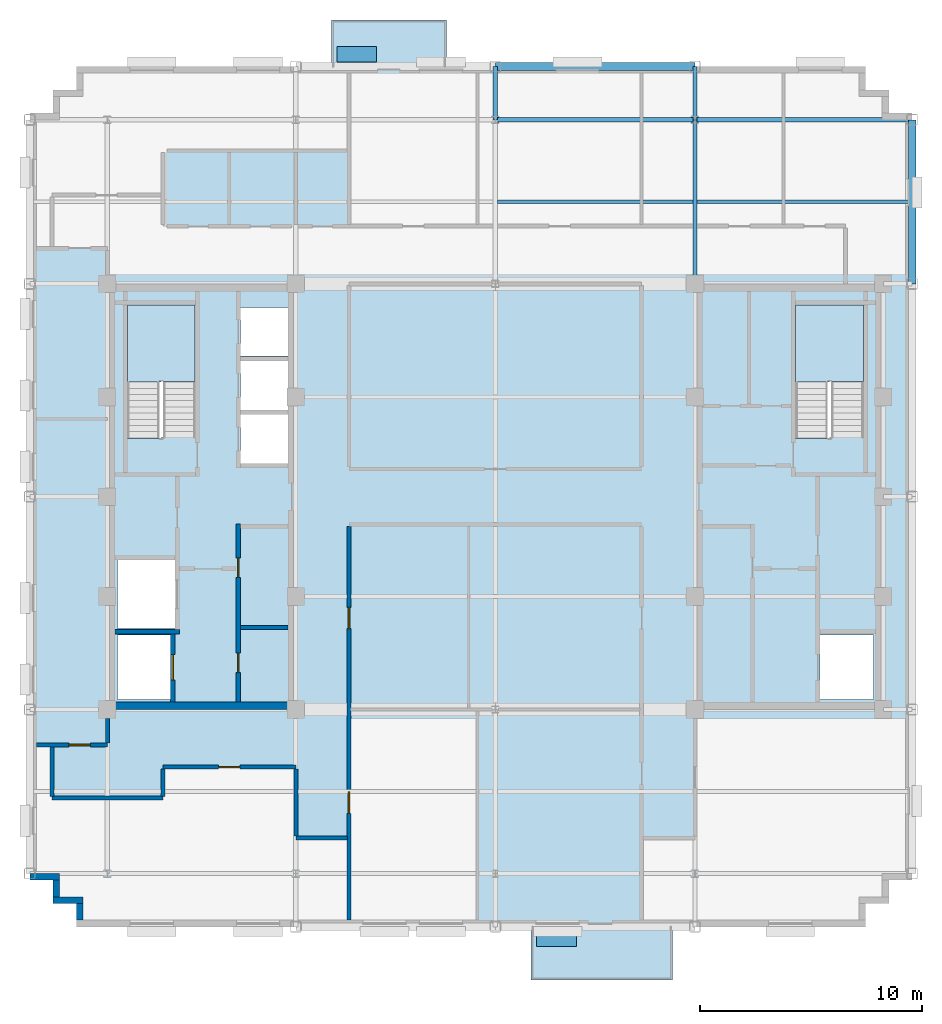
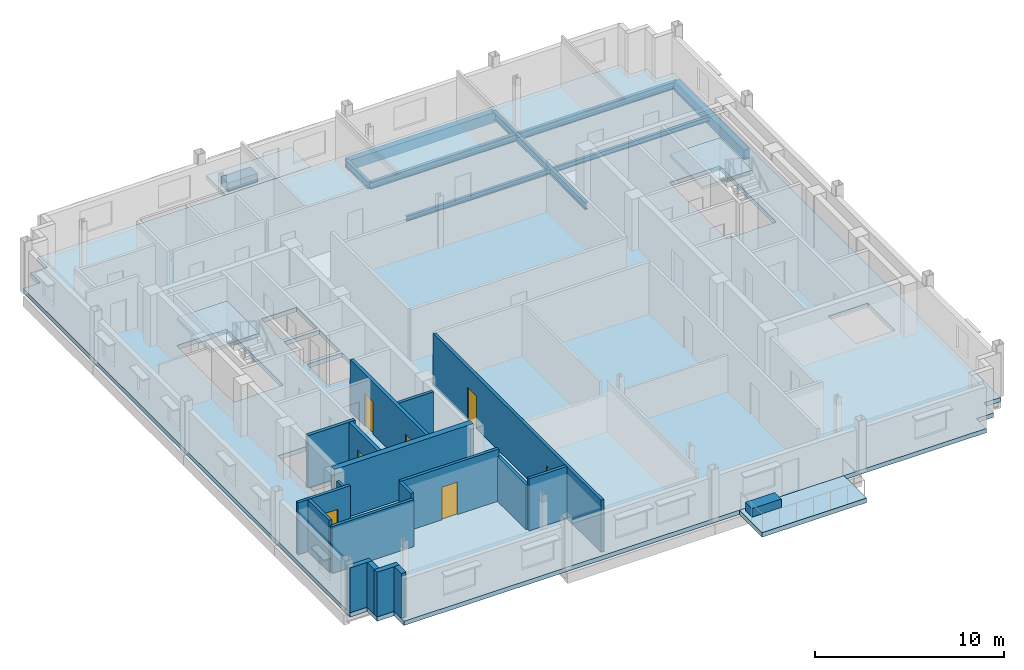
# One storey, part 5 of 13: 18 walls, 9 beams, 7 doors, 5 slabs, 2 plates, 7 openings, 2 elements without a shape of their own.
"""IFC4 building model written with IfcOpenShell, lengths in metres."""

from ifc_helpers import new_model, si_unit, direction, frame, frame_2d, origin, origin_2d, place, context, subcontext, project, spatial, polyline, rectangle, i_section, outline, extrude, source, transform, mapped, material, layer, layer_set, material_profile, profile_set, type_object, type_shapes, element, fill, aggregate, save


model = new_model("IFC4")

# Units and contexts
model_context = context("Model", 3, precision=1e-05, world=origin(), true_north=direction((0.0, 1.0)))
body_context = subcontext(model_context, "Body", "Model", "MODEL_VIEW")
ifc_project = project(units=[si_unit("LENGTHUNIT", "METRE"), si_unit("AREAUNIT", "SQUARE_METRE"), si_unit("VOLUMEUNIT", "CUBIC_METRE"), si_unit("PLANEANGLEUNIT", "RADIAN"), si_unit("MASSUNIT", "GRAM", prefix="KILO")], contexts=[model_context])

# Site, building, storey
site_placement = place(None, origin())
site = spatial("IfcSite", under=ifc_project, at=site_placement, CompositionType="ELEMENT")
building_placement = place(site_placement, origin())
building = spatial("IfcBuilding", under=site, at=building_placement, Name="Nuvemarco Arch Tower", CompositionType="ELEMENT")
storey_placement = place(building_placement, frame((0.0, 0.0, 265.25)))
storey = spatial("IfcBuildingStorey", under=building, at=storey_placement, Name="L70", CompositionType="ELEMENT", Elevation=265.25)

# Beams
ifc_material_1 = material(Name="Steel S355", Category="steel")
ifc_material_profile_1 = material_profile(ifc_material_1, i_section(OverallWidth=0.19189453125, OverallDepth=0.462890625, WebThickness=0.010498046875, FlangeThickness=0.017578125, FilletRadius=0.014892578125, at=origin_2d()), Name="W460x89")
ifc_profile_set_1 = profile_set([ifc_material_profile_1], Name="Steel S355")
beam_type_1 = type_object("IfcBeamType", Name="BM-GIRD-460", PredefinedType="BEAM", material=ifc_profile_set_1)
beam_1_placement = place(storey_placement, frame((0.0, 17.0, -0.511474609375), z_axis=(0.0, 1.0, 0.0), x_axis=(-1.0, 0.0, 0.0)))
element("IfcBeam", 1, at=beam_1_placement, inside=storey, type_object=beam_type_1, Name="L70 structural beam BGNS_L70_0_+0.0_+17.0", PredefinedType="BEAM", context=body_context, shape_type="SweptSolid", body=[
    extrude(i_section(OverallWidth=0.19189453125, OverallDepth=0.462890625, WebThickness=0.010498046875, FlangeThickness=0.017578125, FilletRadius=0.014892578125, at=origin_2d()), origin(), (0.0, 0.0, 1.0), 2.39990234375),
])
beam_2_placement = place(storey_placement, frame((9.0, 9.60009765625, -0.511474609375), z_axis=(0.0, 1.0, 0.0), x_axis=(-1.0, 0.0, 0.0)))
element("IfcBeam", 2, at=beam_2_placement, inside=storey, type_object=beam_type_1, Name="L70 structural beam BGNS_L70_0_+9.0_+9.6", PredefinedType="BEAM", context=body_context, shape_type="SweptSolid", body=[
    extrude(i_section(OverallWidth=0.19189453125, OverallDepth=0.462890625, WebThickness=0.010498046875, FlangeThickness=0.017578125, FilletRadius=0.014892578125, at=origin_2d()), origin(), (0.0, 0.0, 1.0), 7.39990234375),
])
beam_3_placement = place(storey_placement, frame((9.0, 17.0, -0.511474609375), z_axis=(0.0, 1.0, 0.0), x_axis=(-1.0, 0.0, 0.0)))
element("IfcBeam", 3, at=beam_3_placement, inside=storey, type_object=beam_type_1, Name="L70 structural beam BGNS_L70_0_+9.0_+17.0", PredefinedType="BEAM", context=body_context, shape_type="SweptSolid", body=[
    extrude(i_section(OverallWidth=0.19189453125, OverallDepth=0.462890625, WebThickness=0.010498046875, FlangeThickness=0.017578125, FilletRadius=0.014892578125, at=origin_2d()), origin(), (0.0, 0.0, 1.0), 2.39990234375),
])
beam_4_placement = place(storey_placement, frame((0.0, 17.0, -0.511474609375), z_axis=(1.0, 0.0, 0.0), x_axis=(0.0, 1.0, 0.0)))
element("IfcBeam", 4, at=beam_4_placement, inside=storey, type_object=beam_type_1, Name="L70 structural beam BGEW_L70_0_+17.0_+0.0", PredefinedType="BEAM", context=body_context, shape_type="SweptSolid", body=[
    extrude(i_section(OverallWidth=0.19189453125, OverallDepth=0.462890625, WebThickness=0.010498046875, FlangeThickness=0.017578125, FilletRadius=0.014892578125, at=origin_2d()), origin(), (0.0, 0.0, 1.0), 9.0),
])
beam_5_placement = place(storey_placement, frame((9.0, 17.0, -0.511474609375), z_axis=(1.0, 0.0, 0.0), x_axis=(0.0, 1.0, 0.0)))
element("IfcBeam", 5, at=beam_5_placement, inside=storey, type_object=beam_type_1, Name="L70 structural beam BGEW_L70_0_+17.0_+9.0", PredefinedType="BEAM", context=body_context, shape_type="SweptSolid", body=[
    extrude(i_section(OverallWidth=0.19189453125, OverallDepth=0.462890625, WebThickness=0.010498046875, FlangeThickness=0.017578125, FilletRadius=0.014892578125, at=origin_2d()), origin(), (0.0, 0.0, 1.0), 9.800048828125),
])
ifc_material_profile_2 = material_profile(ifc_material_1, i_section(OverallWidth=0.1669921875, OverallDepth=0.31689453125, WebThickness=0.007568359375, FlangeThickness=0.01318359375, FilletRadius=0.010009765625, at=origin_2d()), Name="W310x52")
ifc_profile_set_2 = profile_set([ifc_material_profile_2], Name="Steel S355")
beam_type_2 = type_object("IfcBeamType", Name="BM-JOIST-310", PredefinedType="JOIST", material=ifc_profile_set_2)
beam_6_placement = place(storey_placement, frame((0.095947265625, 13.300048828125, -0.4384765625), z_axis=(1.0, 0.0, 0.0), x_axis=(0.0, 1.0, 0.0)))
element("IfcBeam", 6, at=beam_6_placement, inside=storey, type_object=beam_type_2, Name="L70 structural beam BJ_L70_0_+13.3_+0.0", PredefinedType="JOIST", context=body_context, shape_type="SweptSolid", body=[
    extrude(i_section(OverallWidth=0.1669921875, OverallDepth=0.31689453125, WebThickness=0.007568359375, FlangeThickness=0.01318359375, FilletRadius=0.010009765625, at=origin_2d()), origin(), (0.0, 0.0, 1.0), 8.80810546875),
])
beam_7_placement = place(storey_placement, frame((9.095947265625, 13.300048828125, -0.4384765625), z_axis=(1.0, 0.0, 0.0), x_axis=(0.0, 1.0, 0.0)))
element("IfcBeam", 7, at=beam_7_placement, inside=storey, type_object=beam_type_2, Name="L70 structural beam BJ_L70_0_+13.3_+9.0", PredefinedType="JOIST", context=body_context, shape_type="SweptSolid", body=[
    extrude(i_section(OverallWidth=0.1669921875, OverallDepth=0.31689453125, WebThickness=0.007568359375, FlangeThickness=0.01318359375, FilletRadius=0.010009765625, at=origin_2d()), origin(), (0.0, 0.0, 1.0), 9.529052734375),
])
ifc_material_2 = material(Name="Precast concrete C45/55", Category="concrete")
ifc_material_profile_3 = material_profile(ifc_material_2, rectangle(XDim=0.35009765625, YDim=0.64990234375, at=origin_2d()), Name="PC-SP-350x650")
ifc_profile_set_3 = profile_set([ifc_material_profile_3], Name="Precast concrete C45/55")
beam_type_3 = type_object("IfcBeamType", Name="BM-SPAN-RC", PredefinedType="SPANDREL", material=ifc_profile_set_3)
beam_8_placement = place(storey_placement, frame((18.800048828125, 9.60009765625, -0.60498046875), z_axis=(0.0, 1.0, 0.0), x_axis=(-1.0, 0.0, 0.0)))
element("IfcBeam", 8, at=beam_8_placement, inside=storey, type_object=beam_type_3, Name="L70 structural beam BGNS_L70_0_+18.8_+9.6", PredefinedType="SPANDREL", context=body_context, shape_type="SweptSolid", body=[
    extrude(rectangle(XDim=0.35009765625, YDim=0.64990234375, at=origin_2d()), origin(), (0.0, 0.0, 1.0), 7.39990234375),
])
beam_9_placement = place(storey_placement, frame((0.0, 19.39990234375, -0.60498046875), z_axis=(1.0, 0.0, 0.0), x_axis=(0.0, 1.0, 0.0)))
element("IfcBeam", 9, at=beam_9_placement, inside=storey, type_object=beam_type_3, Name="L70 structural beam BGEW_L70_0_+19.4_+0.0", PredefinedType="SPANDREL", context=body_context, shape_type="SweptSolid", body=[
    extrude(rectangle(XDim=0.35009765625, YDim=0.64990234375, at=origin_2d()), origin(), (0.0, 0.0, 1.0), 9.0),
])

# Slab
ifc_material_3 = material(Name="Concrete C50/60", Category="concrete")
ifc_layer_1 = layer(ifc_material_3, 0.280029296875, Name="SL-FLR-280")
ifc_layer_set_1 = layer_set([ifc_layer_1], Name="Concrete C50/60")
slab_type_1 = type_object("IfcSlabType", Name="SL-FLR-280", PredefinedType="FLOOR", material=ifc_layer_set_1)
slab_1_placement = place(storey_placement, frame((0.0, 0.0, -0.280029296875)))
element("IfcSlab", 10, at=slab_1_placement, inside=storey, type_object=slab_type_1, Name="L70 structural floor slab", PredefinedType="FLOOR", context=body_context, shape_type="SweptSolid", body=[
    extrude(outline(polyline([(-18.89990234375, -19.39990234375), (16.699951171875, -19.39990234375), (16.699951171875, -18.35009765625), (17.75, -18.35009765625), (17.75, -17.300048828125), (18.800048828125, -17.300048828125), (18.800048828125, 17.300048828125), (17.75, 17.300048828125), (17.75, 18.35009765625), (16.699951171875, 18.35009765625), (16.699951171875, 19.39990234375), (-18.89990234375, 19.39990234375), (-18.89990234375, 18.35009765625), (-19.949951171875, 18.35009765625), (-19.949951171875, 17.300048828125), (-21.0, 17.300048828125), (-21.0, -17.300048828125), (-19.949951171875, -17.300048828125), (-19.949951171875, -18.35009765625), (-18.89990234375, -18.35009765625), (-18.89990234375, -19.39990234375)]), holes=[polyline([(-13.5400390625, 2.669921875), (-13.5400390625, 8.64990234375), (-16.60009765625, 8.64990234375), (-16.60009765625, 2.630615234375), (-15.070068359375, 2.630615234375), (-15.070068359375, 2.669921875), (-13.5400390625, 2.669921875)]), polyline([(16.60009765625, 2.669921875), (16.60009765625, 8.64990234375), (13.5400390625, 8.64990234375), (13.5400390625, 2.630615234375), (15.070068359375, 2.630615234375), (15.070068359375, 2.669921875), (16.60009765625, 2.669921875)]), polyline([(-17.050048828125, -9.14990234375), (-14.64990234375, -9.14990234375), (-14.64990234375, -6.25), (-17.050048828125, -6.25), (-17.050048828125, -9.14990234375)]), polyline([(-17.050048828125, -5.949951171875), (-14.449951171875, -5.949951171875), (-14.449951171875, -2.85009765625), (-17.050048828125, -2.85009765625), (-17.050048828125, -5.949951171875)]), polyline([(-11.5, 1.5), (-9.35009765625, 1.5), (-9.35009765625, 3.699951171875), (-11.5, 3.699951171875), (-11.5, 1.5)]), polyline([(-11.5, 3.919921875), (-9.35009765625, 3.919921875), (-9.35009765625, 6.1201171875), (-11.5, 6.1201171875), (-11.5, 3.919921875)]), polyline([(-11.5, 6.340087890625), (-9.35009765625, 6.340087890625), (-9.35009765625, 8.5400390625), (-11.5, 8.5400390625), (-11.5, 6.340087890625)]), polyline([(14.64990234375, -9.14990234375), (17.050048828125, -9.14990234375), (17.050048828125, -6.25), (14.64990234375, -6.25), (14.64990234375, -9.14990234375)])]), origin(), (0.0, 0.0, 1.0), 0.280029296875),
])

# Stair, slab
stair_type = type_object("IfcStairType", Name="ST-CORE-20R", PredefinedType="HALF_TURN_STAIR", material=ifc_material_2)
stair_1_placement = place(storey_placement, origin())
stair_1 = element("IfcStair", 11, at=stair_1_placement, inside=storey, type_object=stair_type, Name="L70 Protected Exit Stair ST-1", PredefinedType="HALF_TURN_STAIR")
ifc_layer_2 = layer(ifc_material_2, 0.199951171875, Name="SL-LANDING-200")
ifc_layer_set_2 = layer_set([ifc_layer_2], Name="Precast concrete C45/55")
slab_type_2 = type_object("IfcSlabType", Name="SL-LANDING-200", PredefinedType="LANDING", material=ifc_layer_set_2)
slab_2_placement = place(storey_placement, frame((0.0, 0.0, 1.625)))
slab_2 = element("IfcSlab", 12, at=slab_2_placement, type_object=slab_type_2, Name="ST-20R landing 1", PredefinedType="LANDING", context=body_context, shape_type="SweptSolid", body=[
    extrude(outline(polyline([(-13.5400390625, 5.189453125), (-13.5400390625, 8.64990234375), (-16.60009765625, 8.64990234375), (-16.60009765625, 5.169921875), (-15.070068359375, 5.169921875), (-15.070068359375, 5.189453125), (-13.5400390625, 5.189453125)])), origin(), (0.0, 0.0, 1.0), 0.199951171875),
])
aggregate(stair_1, [slab_2])

stair_2_placement = place(storey_placement, origin())
stair_2 = element("IfcStair", 13, at=stair_2_placement, inside=storey, type_object=stair_type, Name="L70 Protected Exit Stair ST-2", PredefinedType="HALF_TURN_STAIR")
slab_3_placement = place(storey_placement, frame((0.0, 0.0, 1.625)))
slab_3 = element("IfcSlab", 14, at=slab_3_placement, type_object=slab_type_2, Name="ST-20R landing 1", PredefinedType="LANDING", context=body_context, shape_type="SweptSolid", body=[
    extrude(outline(polyline([(16.60009765625, 5.189453125), (16.60009765625, 8.64990234375), (13.5400390625, 8.64990234375), (13.5400390625, 5.169921875), (15.070068359375, 5.169921875), (15.070068359375, 5.189453125), (16.60009765625, 5.189453125)])), origin(), (0.0, 0.0, 1.0), 0.199951171875),
])
aggregate(stair_2, [slab_3])

# Slabs
ifc_layer_3 = layer(ifc_material_3, 0.264892578125, Name="SL-TB1")
ifc_layer_set_3 = layer_set([ifc_layer_3], Name="Concrete C50/60")
slab_type_3 = type_object("IfcSlabType", Name="SL-TB1", PredefinedType="FLOOR", material=ifc_layer_set_3)
slab_4_placement = place(storey_placement, frame((0.0, 0.0, -0.264892578125)))
element("IfcSlab", 15, at=slab_4_placement, inside=storey, type_object=slab_type_3, Name="L70 outdoor tree balcony slab 2", PredefinedType="FLOOR", context=body_context, shape_type="SweptSolid", body=[
    extrude(outline(polyline([(-7.39990234375, 19.39990234375), (-2.199951171875, 19.39990234375), (-2.199951171875, 21.5), (-7.39990234375, 21.5), (-7.39990234375, 19.39990234375)])), origin(), (0.0, 0.0, 1.0), 0.264892578125),
])
ifc_layer_4 = layer(ifc_material_3, 0.294921875, Name="SL-TR4")
ifc_layer_set_4 = layer_set([ifc_layer_4], Name="Concrete C50/60")
slab_type_4 = type_object("IfcSlabType", Name="SL-TR4", PredefinedType="FLOOR", material=ifc_layer_set_4)
slab_5_placement = place(storey_placement, frame((0.0, 0.0, -0.294921875)))
element("IfcSlab", 16, at=slab_5_placement, inside=storey, type_object=slab_type_4, Name="L70 outdoor spiral terrace slab 1", PredefinedType="FLOOR", context=body_context, shape_type="SweptSolid", body=[
    extrude(outline(polyline([(1.60009765625, -21.800048828125), (8.0, -21.800048828125), (8.0, -19.39990234375), (1.60009765625, -19.39990234375), (1.60009765625, -21.800048828125)])), origin(), (0.0, 0.0, 1.0), 0.294921875),
])

# Plates
ifc_layer_5 = layer(ifc_material_2, 0.550048828125, Name="Tree Balcony Structural Planter")
ifc_layer_set_5 = layer_set([ifc_layer_5], Name="Precast concrete C45/55")
plate_type = type_object("IfcPlateType", Name="Tree Balcony Structural Planter", PredefinedType="USERDEFINED", material=ifc_layer_set_5)
shared_shape_1 = source(origin(), body_context, "Body", "SweptSolid", [
    extrude(rectangle(XDim=1.800048828125, YDim=0.699951171875, at=origin_2d()), origin(), (0.0, 0.0, 1.0), 0.550048828125),
])
type_shapes(plate_type, [shared_shape_1])
for number, where, z_axis, x_axis, name in (
    (17, (2.75, -19.949951171875, 0.0), (0.0, 0.0, 1.0), (1.0, 0.0, 0.0), "L70 Tree Balcony Structural Planter"),
    (18, (-6.25, 19.949951171875, 0.0), (0.0, 0.0, 1.0), (1.0, 0.0, 0.0), "L70 Tree Balcony Structural Planter"),
):
    element("IfcPlate", number, at=place(storey_placement, frame(where, z_axis=z_axis, x_axis=x_axis)), inside=storey, type_object=plate_type, Name=name, ObjectType="PLANTER", PredefinedType="USERDEFINED", context=body_context, shape_type="MappedRepresentation", body=[
        mapped(shared_shape_1, transform((0.0, 0.0, 0.0), scale=1.0)),
    ])

# Walls
ifc_layer_6 = layer(ifc_material_2, 0.300048828125, Name="EW-HIGH-300")
ifc_layer_set_6 = layer_set([ifc_layer_6], Name="Precast concrete C45/55")
wall_type_1 = type_object("IfcWallType", Name="EW-HIGH-300", PredefinedType="STANDARD", material=ifc_layer_set_6)
wall_1_placement = place(storey_placement, frame((-21.0, -17.14990234375, 0.0), z_axis=(0.0, 0.0, 1.0), x_axis=(1.0, 0.0, 0.0)))
element("IfcWall", 19, at=wall_1_placement, inside=storey, type_object=wall_type_1, Name="L70 exterior precast facade wall 17", PredefinedType="STANDARD", context=body_context, shape_type="SweptSolid", body=[
    extrude(rectangle(XDim=1.35009765625, YDim=0.300048828125, at=frame_2d((0.675048828125, 0.0))), origin(), (0.0, 0.0, 1.0), 2.89208984375),
])
wall_2_placement = place(storey_placement, frame((-19.800048828125, -18.053955078125, 0.0), z_axis=(0.0, 0.0, 1.0), x_axis=(0.0, 1.0, 0.0)))
element("IfcWall", 20, at=wall_2_placement, inside=storey, type_object=wall_type_1, Name="L70 exterior precast facade wall 18", PredefinedType="STANDARD", context=body_context, shape_type="SweptSolid", body=[
    extrude(rectangle(XDim=0.758056640625, YDim=0.300048828125, at=frame_2d((0.37890625, 0.0))), origin(), (0.0, 0.0, 1.0), 2.89208984375),
])
wall_3_placement = place(storey_placement, frame((-19.949951171875, -18.199951171875, 0.0), z_axis=(0.0, 0.0, 1.0), x_axis=(1.0, 0.0, 0.0)))
element("IfcWall", 21, at=wall_3_placement, inside=storey, type_object=wall_type_1, Name="L70 exterior precast facade wall 19", PredefinedType="STANDARD", context=body_context, shape_type="SweptSolid", body=[
    extrude(rectangle(XDim=1.349853515625, YDim=0.300048828125, at=frame_2d((0.6748046875, 0.0))), origin(), (0.0, 0.0, 1.0), 2.89208984375),
])
wall_4_placement = place(storey_placement, frame((-18.75, -19.10400390625, 0.0), z_axis=(0.0, 0.0, 1.0), x_axis=(0.0, 1.0, 0.0)))
element("IfcWall", 22, at=wall_4_placement, inside=storey, type_object=wall_type_1, Name="L70 exterior precast facade wall 20", PredefinedType="STANDARD", context=body_context, shape_type="SweptSolid", body=[
    extrude(rectangle(XDim=0.758056640625, YDim=0.300048828125, at=frame_2d((0.37890625, 0.0))), origin(), (0.0, 0.0, 1.0), 2.89208984375),
])
ifc_layer_7 = layer(ifc_material_3, 0.35009765625, Name="WL-CORE-350")
ifc_layer_set_7 = layer_set([ifc_layer_7], Name="Concrete C50/60")
wall_type_2 = type_object("IfcWallType", Name="WL-CORE-350", PredefinedType="SHEAR", material=ifc_layer_set_7)
wall_5_placement = place(storey_placement, frame((-17.5, -9.425048828125, 0.0), z_axis=(0.0, 0.0, 1.0), x_axis=(1.0, 0.0, 0.0)))
element("IfcWall", 23, at=wall_5_placement, inside=storey, type_object=wall_type_2, Name="L70 W-core shear wall S", PredefinedType="SHEAR", context=body_context, shape_type="SweptSolid", body=[
    extrude(rectangle(XDim=8.5, YDim=0.35009765625, at=frame_2d((4.25, 0.0))), origin(), (0.0, 0.0, 1.0), 3.3701171875),
])
ifc_material_4 = material(Name="Fire-rated gypsum drywall partition")
ifc_layer_8 = layer(ifc_material_4, 0.179931640625, Name="WL-CORR-180")
ifc_layer_set_8 = layer_set([ifc_layer_8], Name="Fire-rated gypsum drywall partition")
wall_type_3 = type_object("IfcWallType", Name="WL-CORR-180", PredefinedType="PARTITIONING", material=ifc_layer_set_8)
wall_6_placement = place(storey_placement, frame((-11.5048828125, -5.89990234375, 0.0), z_axis=(0.0, 0.0, 1.0), x_axis=(1.0, 0.0, 0.0)))
element("IfcWall", 24, at=wall_6_placement, inside=storey, type_object=wall_type_3, Name="L70 interior wall IW-L70-W-RECK3", PredefinedType="PARTITIONING", context=body_context, shape_type="SweptSolid", body=[
    extrude(rectangle(XDim=2.159912109375, YDim=0.179931640625, at=frame_2d((1.080078125, 0.0))), origin(), (0.0, 0.0, 1.0), 3.360107421875),
])
wall_7_placement = place(storey_placement, frame((-9.0, -15.39990234375, 0.0), z_axis=(0.0, 0.0, 1.0), x_axis=(1.0, 0.0, 0.0)))
element("IfcWall", 25, at=wall_7_placement, inside=storey, type_object=wall_type_3, Name="L70 interior wall IW-L70-001", PredefinedType="PARTITIONING", context=body_context, shape_type="SweptSolid", body=[
    extrude(rectangle(XDim=2.323974609375, YDim=0.179931640625, at=frame_2d((1.162109375, 0.0))), origin(), (0.0, 0.0, 1.0), 3.360107421875),
])
wall_8_placement = place(storey_placement, frame((-20.0, -13.60009765625, 0.0), z_axis=(0.0, 0.0, 1.0), x_axis=(1.0, 0.0, 0.0)))
element("IfcWall", 26, at=wall_8_placement, inside=storey, type_object=wall_type_3, Name="L70 interior wall IW-L70-003", PredefinedType="PARTITIONING", context=body_context, shape_type="SweptSolid", body=[
    extrude(rectangle(XDim=5.0, YDim=0.179931640625, at=frame_2d((2.5, 0.0))), origin(), (0.0, 0.0, 1.0), 3.0380859375),
])

# Wall, opening, door
wall_9_placement = place(storey_placement, frame((-15.0, -12.199951171875, 0.0), z_axis=(0.0, 0.0, 1.0), x_axis=(1.0, 0.0, 0.0)))
wall_9 = element("IfcWall", 27, at=wall_9_placement, inside=storey, type_object=wall_type_3, Name="L70 interior wall IW-L70-004", PredefinedType="PARTITIONING", context=body_context, shape_type="SweptSolid", body=[
    extrude(rectangle(XDim=6.0, YDim=0.179931640625, at=frame_2d((3.0, 0.0))), origin(), (0.0, 0.0, 1.0), 3.360107421875),
])
opening_1_placement = place(wall_9_placement, frame((2.52001953125, 0.0, 0.0)))
opening_1 = element("IfcOpeningElement", 28, at=opening_1_placement, cuts=wall_9, Name="Opening FD-5", PredefinedType="OPENING", context=body_context, shape_type="SweptSolid", body=[
    extrude(rectangle(XDim=0.9599609375, YDim=2.10009765625, at=frame_2d((0.47998046875, 1.050048828125))), frame((0.0, 0.099853515625, 0.0), z_axis=(0.0, -1.0, 0.0), x_axis=(1.0, 0.0, 0.0)), (0.0, 0.0, 1.0), 0.199951171875),
])
ifc_material_5 = material(Name="Timber fire door", Category="wood")
door_type_1 = type_object("IfcDoorType", Name="DR-CORR-FD", OperationType="NOTDEFINED", PredefinedType="DOOR", material=ifc_material_5)
shared_shape_2 = source(origin(), body_context, "Body", "SweptSolid", [
    extrude(rectangle(XDim=0.9599609375, YDim=2.10009765625, at=frame_2d((0.47998046875, 1.050048828125))), frame((0.0, 0.02490234375, 0.0), z_axis=(0.0, -1.0, 0.0), x_axis=(1.0, 0.0, 0.0)), (0.0, 0.0, 1.0), 0.050048828125),
])
type_shapes(door_type_1, [shared_shape_2])
door_1_placement = place(opening_1_placement, origin())
door_1 = element("IfcDoor", 29, at=door_1_placement, inside=storey, type_object=door_type_1, Name="L70 door DR-L70-S_1", OperationType="SINGLE_SWING_RIGHT", OverallHeight=2.10009765625, OverallWidth=0.9599609375, PredefinedType="DOOR", context=body_context, shape_type="MappedRepresentation", body=[
    mapped(shared_shape_2, transform((0.0, 0.0, 0.0), scale=1.0)),
])
fill(opening_1, door_1)

wall_10_placement = place(storey_placement, frame((-20.699951171875, -11.199951171875, 0.0), z_axis=(0.0, 0.0, 1.0), x_axis=(1.0, 0.0, 0.0)))
wall_10 = element("IfcWall", 30, at=wall_10_placement, inside=storey, type_object=wall_type_3, Name="L70 interior wall IW-L70-005", PredefinedType="PARTITIONING", context=body_context, shape_type="SweptSolid", body=[
    extrude(rectangle(XDim=3.199951171875, YDim=0.179931640625, at=frame_2d((1.60009765625, 0.0))), origin(), (0.0, 0.0, 1.0), 3.360107421875),
])
opening_2_placement = place(wall_10_placement, frame((1.469970703125, 0.0, 0.0)))
opening_2 = element("IfcOpeningElement", 31, at=opening_2_placement, cuts=wall_10, Name="Opening FD-5", PredefinedType="OPENING", context=body_context, shape_type="SweptSolid", body=[
    extrude(rectangle(XDim=0.9599609375, YDim=2.10009765625, at=frame_2d((0.47998046875, 1.050048828125))), frame((0.0, 0.099853515625, 0.0), z_axis=(0.0, -1.0, 0.0), x_axis=(1.0, 0.0, 0.0)), (0.0, 0.0, 1.0), 0.199951171875),
])
door_2_placement = place(opening_2_placement, origin())
door_2 = element("IfcDoor", 32, at=door_2_placement, inside=storey, type_object=door_type_1, Name="L70 door DR-L70-W_1", OperationType="SINGLE_SWING_RIGHT", OverallHeight=2.10009765625, OverallWidth=0.9599609375, PredefinedType="DOOR", context=body_context, shape_type="MappedRepresentation", body=[
    mapped(shared_shape_2, transform((0.0, 0.0, 0.0), scale=1.0)),
])
fill(opening_2, door_2)

# Walls
wall_11_placement = place(storey_placement, frame((-20.0, -13.513916015625, 0.0), z_axis=(0.0, 0.0, 1.0), x_axis=(0.0, 1.0, 0.0)))
element("IfcWall", 33, at=wall_11_placement, inside=storey, type_object=wall_type_3, Name="L70 interior wall IW-L70-018", PredefinedType="PARTITIONING", context=body_context, shape_type="SweptSolid", body=[
    extrude(rectangle(XDim=2.22802734375, YDim=0.179931640625, at=frame_2d((1.114013671875, 0.0))), origin(), (0.0, 0.0, 1.0), 3.360107421875),
])
wall_12_placement = place(storey_placement, frame((-17.5, -11.114013671875, 0.0), z_axis=(0.0, 0.0, 1.0), x_axis=(0.0, 1.0, 0.0)))
element("IfcWall", 34, at=wall_12_placement, inside=storey, type_object=wall_type_3, Name="L70 interior wall IW-L70-020", PredefinedType="PARTITIONING", context=body_context, shape_type="SweptSolid", body=[
    extrude(rectangle(XDim=1.117919921875, YDim=0.179931640625, at=frame_2d((0.55908203125, 0.0))), origin(), (0.0, 0.0, 1.0), 2.89208984375),
])
wall_13_placement = place(storey_placement, frame((-15.0, -13.513916015625, 0.0), z_axis=(0.0, 0.0, 1.0), x_axis=(0.0, 1.0, 0.0)))
element("IfcWall", 35, at=wall_13_placement, inside=storey, type_object=wall_type_3, Name="L70 interior wall IW-L70-022", PredefinedType="PARTITIONING", context=body_context, shape_type="SweptSolid", body=[
    extrude(rectangle(XDim=1.22802734375, YDim=0.179931640625, at=frame_2d((0.614013671875, 0.0))), origin(), (0.0, 0.0, 1.0), 3.360107421875),
])
wall_14_placement = place(storey_placement, frame((-9.0, -15.31396484375, 0.0), z_axis=(0.0, 0.0, 1.0), x_axis=(0.0, 1.0, 0.0)))
element("IfcWall", 36, at=wall_14_placement, inside=storey, type_object=wall_type_3, Name="L70 interior wall IW-L70-025", PredefinedType="PARTITIONING", context=body_context, shape_type="SweptSolid", body=[
    extrude(rectangle(XDim=3.028076171875, YDim=0.179931640625, at=frame_2d((1.51416015625, 0.0))), origin(), (0.0, 0.0, 1.0), 2.89208984375),
])

# Wall, openings, doors
wall_15_placement = place(storey_placement, frame((-6.60009765625, -19.10009765625, 0.0), z_axis=(0.0, 0.0, 1.0), x_axis=(0.0, 1.0, 0.0)))
wall_15 = element("IfcWall", 37, at=wall_15_placement, inside=storey, type_object=wall_type_3, Name="L70 interior wall IW-L70-027", PredefinedType="PARTITIONING", context=body_context, shape_type="SweptSolid", body=[
    extrude(rectangle(XDim=17.76416015625, YDim=0.179931640625, at=frame_2d((8.882080078125, 0.0))), origin(), (0.0, 0.0, 1.0), 3.360107421875),
])
opening_3_placement = place(wall_15_placement, frame((13.152099609375, 0.0, 0.0)))
opening_3 = element("IfcOpeningElement", 38, at=opening_3_placement, cuts=wall_15, Name="Opening FD-5", PredefinedType="OPENING", context=body_context, shape_type="SweptSolid", body=[
    extrude(rectangle(XDim=0.9599609375, YDim=2.10009765625, at=frame_2d((0.47998046875, 1.050048828125))), frame((0.0, 0.099853515625, 0.0), z_axis=(0.0, -1.0, 0.0), x_axis=(1.0, 0.0, 0.0)), (0.0, 0.0, 1.0), 0.199951171875),
])
opening_4_placement = place(wall_15_placement, frame((4.820068359375, 0.0, 0.0)))
opening_4 = element("IfcOpeningElement", 39, at=opening_4_placement, cuts=wall_15, Name="Opening FD-5", PredefinedType="OPENING", context=body_context, shape_type="SweptSolid", body=[
    extrude(rectangle(XDim=0.9599609375, YDim=2.10009765625, at=frame_2d((0.47998046875, 1.050048828125))), frame((0.0, 0.099853515625, 0.0), z_axis=(0.0, -1.0, 0.0), x_axis=(1.0, 0.0, 0.0)), (0.0, 0.0, 1.0), 0.199951171875),
])
door_3_placement = place(opening_3_placement, origin())
door_3 = element("IfcDoor", 40, at=door_3_placement, inside=storey, type_object=door_type_1, Name="L70 door DR-L70-C_S1", OperationType="SINGLE_SWING_LEFT", OverallHeight=2.10009765625, OverallWidth=0.9599609375, PredefinedType="DOOR", context=body_context, shape_type="MappedRepresentation", body=[
    mapped(shared_shape_2, transform((0.0, 0.0, 0.0), scale=1.0)),
])
fill(opening_3, door_3)
door_4_placement = place(opening_4_placement, origin())
door_4 = element("IfcDoor", 41, at=door_4_placement, inside=storey, type_object=door_type_1, Name="L70 door DR-L70-S_2", OperationType="SINGLE_SWING_RIGHT", OverallHeight=2.10009765625, OverallWidth=0.9599609375, PredefinedType="DOOR", context=body_context, shape_type="MappedRepresentation", body=[
    mapped(shared_shape_2, transform((0.0, 0.0, 0.0), scale=1.0)),
])
fill(opening_4, door_4)

# Wall, opening, door
ifc_layer_9 = layer(ifc_material_3, 0.199951171875, Name="WL-SHAFT-220")
ifc_layer_set_9 = layer_set([ifc_layer_9], Name="Concrete C50/60")
wall_type_4 = type_object("IfcWallType", Name="WL-SHAFT-220", PredefinedType="SHEAR", material=ifc_layer_set_9)
wall_16_placement = place(storey_placement, frame((-14.550048828125, -9.2548828125, 0.0), z_axis=(0.0, 0.0, 1.0), x_axis=(0.0, 1.0, 0.0)))
wall_16 = element("IfcWall", 42, at=wall_16_placement, inside=storey, type_object=wall_type_4, Name="L70 structural shaft wall SW-L70-W-SHE", PredefinedType="SHEAR", context=body_context, shape_type="SweptSolid", body=[
    extrude(rectangle(XDim=3.059814453125, YDim=0.199951171875, at=frame_2d((1.52978515625, 0.0))), origin(), (0.0, 0.0, 1.0), 3.3701171875),
])
opening_5_placement = place(wall_16_placement, frame((0.97998046875, 0.0, 0.0)))
opening_5 = element("IfcOpeningElement", 43, at=opening_5_placement, cuts=wall_16, Name="Opening LD-2", PredefinedType="OPENING", context=body_context, shape_type="SweptSolid", body=[
    extrude(rectangle(XDim=1.14990234375, YDim=2.14990234375, at=frame_2d((0.574951171875, 1.074951171875))), frame((0.0, 0.10986328125, 0.0), z_axis=(0.0, -1.0, 0.0), x_axis=(1.0, 0.0, 0.0)), (0.0, 0.0, 1.0), 0.219970703125),
])
ifc_material_6 = material(Name="Stainless steel lift door", Category="steel")
door_type_2 = type_object("IfcDoorType", Name="DR-LIFT-FIRE", OperationType="DOUBLE_DOOR_SLIDING", PredefinedType="DOOR", material=ifc_material_6)
shared_shape_3 = source(origin(), body_context, "Body", "SweptSolid", [
    extrude(rectangle(XDim=1.14990234375, YDim=2.14990234375, at=frame_2d((0.574951171875, 1.074951171875))), frame((0.0, 0.02490234375, 0.0), z_axis=(0.0, -1.0, 0.0), x_axis=(1.0, 0.0, 0.0)), (0.0, 0.0, 1.0), 0.050048828125),
])
type_shapes(door_type_2, [shared_shape_3])
door_5_placement = place(opening_5_placement, origin())
door_5 = element("IfcDoor", 44, at=door_5_placement, inside=storey, type_object=door_type_2, Name="L70 Lift landing sliding door FFL-1", OperationType="DOUBLE_DOOR_SLIDING", OverallHeight=2.14990234375, OverallWidth=1.14990234375, PredefinedType="DOOR", context=body_context, shape_type="MappedRepresentation", body=[
    mapped(shared_shape_3, transform((0.0, 0.0, 0.0), scale=1.0)),
])
fill(opening_5, door_5)

# Wall
wall_17_placement = place(storey_placement, frame((-17.155029296875, -6.10009765625, 0.0), z_axis=(0.0, 0.0, 1.0), x_axis=(1.0, 0.0, 0.0)))
element("IfcWall", 45, at=wall_17_placement, inside=storey, type_object=wall_type_4, Name="L70 structural shaft wall SW-L70-W-SH1", PredefinedType="SHEAR", context=body_context, shape_type="SweptSolid", body=[
    extrude(rectangle(XDim=2.905029296875, YDim=0.199951171875, at=frame_2d((1.45263671875, 0.0))), origin(), (0.0, 0.0, 1.0), 3.3701171875),
])

# Wall, openings, doors
wall_18_placement = place(storey_placement, frame((-11.60009765625, -9.2548828125, 0.0), z_axis=(0.0, 0.0, 1.0), x_axis=(0.0, 1.0, 0.0)))
wall_18 = element("IfcWall", 46, at=wall_18_placement, inside=storey, type_object=wall_type_4, Name="L70 structural shaft wall SW-L70-W-PLW", PredefinedType="SHEAR", context=body_context, shape_type="SweptSolid", body=[
    extrude(rectangle(XDim=8.02490234375, YDim=0.199951171875, at=frame_2d((4.012451171875, 0.0))), origin(), (0.0, 0.0, 1.0), 3.3701171875),
])
opening_6_placement = place(wall_18_placement, frame((1.31494140625, 0.0, 0.0)))
opening_6 = element("IfcOpeningElement", 47, at=opening_6_placement, cuts=wall_18, Name="Opening FD-4", PredefinedType="OPENING", context=body_context, shape_type="SweptSolid", body=[
    extrude(rectangle(XDim=0.8798828125, YDim=2.10009765625, at=frame_2d((0.43994140625, 1.050048828125))), frame((0.0, 0.10986328125, 0.0), z_axis=(0.0, -1.0, 0.0), x_axis=(1.0, 0.0, 0.0)), (0.0, 0.0, 1.0), 0.219970703125),
])
opening_7_placement = place(wall_18_placement, frame((5.614990234375, 0.0, 0.0)))
opening_7 = element("IfcOpeningElement", 48, at=opening_7_placement, cuts=wall_18, Name="Opening FD-4", PredefinedType="OPENING", context=body_context, shape_type="SweptSolid", body=[
    extrude(rectangle(XDim=0.8798828125, YDim=2.10009765625, at=frame_2d((0.43994140625, 1.050048828125))), frame((0.0, 0.10986328125, 0.0), z_axis=(0.0, -1.0, 0.0), x_axis=(1.0, 0.0, 0.0)), (0.0, 0.0, 1.0), 0.219970703125),
])
ifc_material_7 = material(Name="Anodised steel fire door", Category="steel")
door_type_3 = type_object("IfcDoorType", Name="DR-RISER-FD", OperationType="NOTDEFINED", PredefinedType="DOOR", material=ifc_material_7)
shared_shape_4 = source(origin(), body_context, "Body", "SweptSolid", [
    extrude(rectangle(XDim=0.8798828125, YDim=2.10009765625, at=frame_2d((0.43994140625, 1.050048828125))), frame((0.0, 0.02490234375, 0.0), z_axis=(0.0, -1.0, 0.0), x_axis=(1.0, 0.0, 0.0)), (0.0, 0.0, 1.0), 0.050048828125),
])
type_shapes(door_type_3, [shared_shape_4])
door_6_placement = place(opening_6_placement, origin())
door_6 = element("IfcDoor", 49, at=door_6_placement, inside=storey, type_object=door_type_3, Name="L70 door FD-L70-WREC1", OperationType="SINGLE_SWING_RIGHT", OverallHeight=2.10009765625, OverallWidth=0.8798828125, PredefinedType="DOOR", context=body_context, shape_type="MappedRepresentation", body=[
    mapped(shared_shape_4, transform((0.0, 0.0, 0.0), scale=1.0)),
])
fill(opening_6, door_6)
door_7_placement = place(opening_7_placement, origin())
door_7 = element("IfcDoor", 50, at=door_7_placement, inside=storey, type_object=door_type_3, Name="L70 door FD-L70-WREC2", OperationType="SINGLE_SWING_LEFT", OverallHeight=2.10009765625, OverallWidth=0.8798828125, PredefinedType="DOOR", context=body_context, shape_type="MappedRepresentation", body=[
    mapped(shared_shape_4, transform((0.0, 0.0, 0.0), scale=1.0)),
])
fill(opening_7, door_7)

save(model, "model.ifc")
